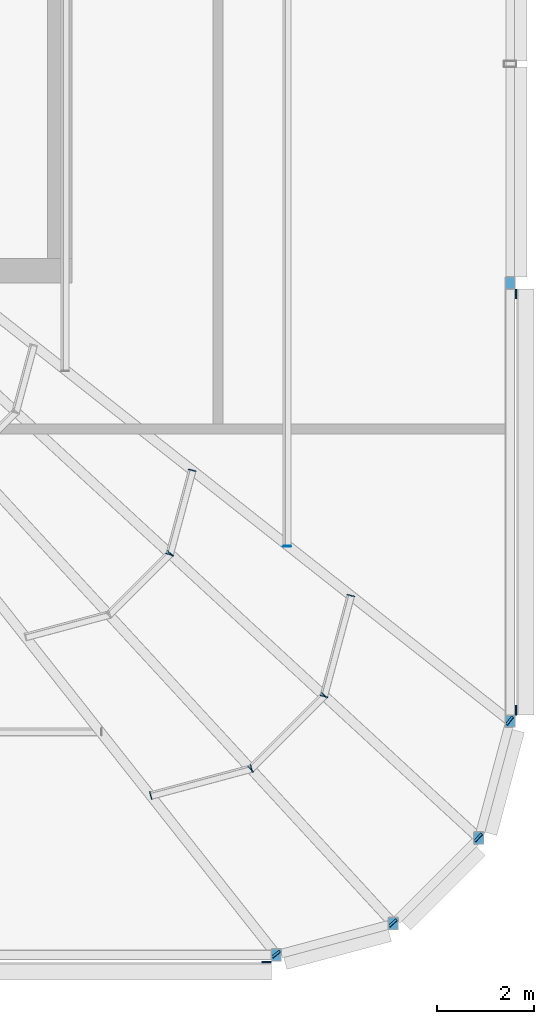
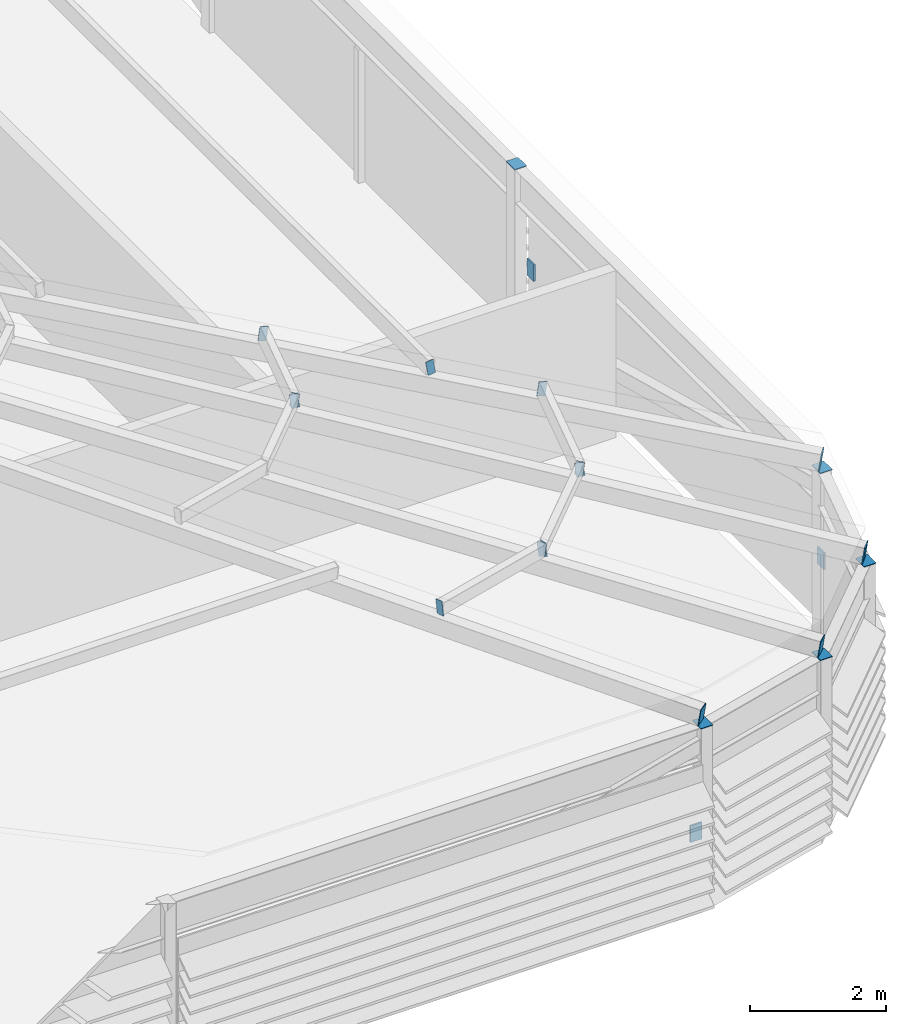
# One storey, part 32 of 46: 22 discrete accessories.
"""IFC4 building model written with IfcOpenShell, lengths in metres."""

import ifcopenshell
import ifcopenshell.guid

model = None  # the IFC model being written
_history = None  # IfcOwnerHistory: only IFC2X3 demands one
_inside = {}  # id of a spatial element -> (the spatial element, [elements in it])
_under = {}  # id of a project, library or spatial element -> (it, [spatial elements below it])
_declared = {}  # id of a project -> (the project, [libraries it declares])
_typed = {}  # id of a type object -> (the type object, [elements of that type])
_made_of = {}  # id of a material, layer set ... -> (it, [elements and type objects made of it])


def new_model(schema):
    """Start an empty IFC model of exactly this schema.

    Asked for "IFC4X3", IfcOpenShell would pick the latest addendum, in which some entities
    have other attributes; the version numbers below select the first issue.
    IFC2X3 requires an IfcOwnerHistory on every rooted entity: one is made here for all.
    """
    global model, _history
    if schema == "IFC4X3":
        model = ifcopenshell.file(schema_version=(4, 3, 0, 0))
    else:
        model = ifcopenshell.file(schema=schema)
    _inside.clear()
    _under.clear()
    _declared.clear()
    _typed.clear()
    _made_of.clear()
    _history = None
    if model.schema == "IFC2X3":
        org = make("IfcOrganization", Name="unknown")
        user = make(
            "IfcPersonAndOrganization",
            ThePerson=make("IfcPerson", FamilyName="unknown"),
            TheOrganization=org,
        )
        app = make(
            "IfcApplication",
            ApplicationDeveloper=org,
            Version="unknown",
            ApplicationFullName="unknown",
            ApplicationIdentifier="unknown",
        )
        _history = make(
            "IfcOwnerHistory",
            OwningUser=user,
            OwningApplication=app,
            ChangeAction="ADDED",
            CreationDate=0,
        )
    return model


def make(cls, **values):
    """One entity of the class cls with the attributes given. An attribute that is None is left unset."""
    return model.create_entity(
        cls, **{name: value for name, value in values.items() if value is not None}
    )


def rooted(cls, **values):
    """An entity with a GlobalId (a new one), such as an element, a storey or a relation."""
    return make(cls, GlobalId=ifcopenshell.guid.new(), OwnerHistory=_history, **values)


def si_unit(unit_type, name, prefix=None):
    """IfcSIUnit, for example si_unit("LENGTHUNIT", "METRE", prefix="MILLI")."""
    return make("IfcSIUnit", UnitType=unit_type, Prefix=prefix, Name=name)


def assignment(units):
    """IfcUnitAssignment: the units of a project."""
    return None if units is None else make("IfcUnitAssignment", Units=units)


def point(xyz):
    """IfcCartesianPoint."""
    return None if xyz is None else make("IfcCartesianPoint", Coordinates=xyz)


def direction(xyz):
    """IfcDirection."""
    return None if xyz is None else make("IfcDirection", DirectionRatios=xyz)


def frame(location, z_axis=None, x_axis=None):
    """IfcAxis2Placement3D, a coordinate frame: its origin and axes. An axis left out is left unset."""
    return make(
        "IfcAxis2Placement3D",
        Location=point(location),
        Axis=direction(z_axis),
        RefDirection=direction(x_axis),
    )


def frame_2d(location, x_axis=None):
    """IfcAxis2Placement2D, a coordinate frame in the plane: its origin and x axis."""
    return make(
        "IfcAxis2Placement2D", Location=point(location), RefDirection=direction(x_axis)
    )


def origin():
    """The frame at (0, 0, 0) with its axes left unset."""
    return frame((0.0, 0.0, 0.0))


def origin_2d():
    """The frame at (0, 0) in the plane with its x axis left unset."""
    return frame_2d((0.0, 0.0))


def place(relative_to, where):
    """IfcLocalPlacement: puts the frame where relative to a parent placement (None: the world)."""
    return make(
        "IfcLocalPlacement", PlacementRelTo=relative_to, RelativePlacement=where
    )


def context(
    kind, dimensions, precision=None, world=None, true_north=None, identifier=None
):
    """IfcGeometricRepresentationContext, for example the 3D "Model" context."""
    return make(
        "IfcGeometricRepresentationContext",
        ContextIdentifier=identifier,
        ContextType=kind,
        CoordinateSpaceDimension=dimensions,
        Precision=precision,
        WorldCoordinateSystem=world,
        TrueNorth=true_north,
    )


def subcontext(parent, identifier, kind, view, scale=None):
    """IfcGeometricRepresentationSubContext, for example "Body" below "Model"."""
    return make(
        "IfcGeometricRepresentationSubContext",
        ContextIdentifier=identifier,
        ContextType=kind,
        ParentContext=parent,
        TargetScale=scale,
        TargetView=view,
    )


def project(units=None, contexts=None):
    """IfcProject with its units and contexts."""
    return rooted(
        "IfcProject",
        Name="project",
        RepresentationContexts=contexts,
        UnitsInContext=assignment(units),
    )


def spatial(cls, under=None, at=None, **own):
    """A site, building, storey or space (cls), placed at a placement, below another one or the project."""
    s = rooted(cls, ObjectPlacement=at, **own)
    if under is not None:
        _under.setdefault(under.id(), (under, []))[1].append(s)
    return s


def profile(cls, at=None, kind="AREA", **sizes):
    """A parametric profile (cls). Its sizes go by their IFC names, for example OverallWidth=200.0."""
    return make(cls, ProfileType=kind, Position=at, **sizes)


def rectangle(**sizes):
    """IfcRectangleProfileDef."""
    return profile("IfcRectangleProfileDef", **sizes)


def extrude(swept, where, along, depth):
    """IfcExtrudedAreaSolid: the profile swept, set in the frame where, extruded along a direction by depth."""
    return make(
        "IfcExtrudedAreaSolid",
        SweptArea=swept,
        Position=where,
        ExtrudedDirection=direction(along),
        Depth=depth,
    )


def shape(context_of_items, identifier, shape_type, items):
    """IfcShapeRepresentation: the items that make up one representation, for example the "Body"."""
    return make(
        "IfcShapeRepresentation",
        ContextOfItems=context_of_items,
        RepresentationIdentifier=identifier,
        RepresentationType=shape_type,
        Items=items,
    )


def material(Name=None, Category=None):
    """IfcMaterial."""
    return make("IfcMaterial", Name=Name, Category=Category)


def made_of(thing, what):
    """Note that an element or type object is made of a material, layer set ...; save() writes the relation."""
    if what is not None:
        _made_of.setdefault(what.id(), (what, []))[1].append(thing)
    return thing


def type_object(cls, material=None, **own):
    """A type object (cls), such as IfcWallType, which elements share."""
    return made_of(rooted(cls, **own), material)


def element(
    cls,
    number,
    at=None,
    inside=None,
    cuts=None,
    type_object=None,
    material=None,
    context=None,
    identifier="Body",
    shape_type=None,
    held_by="IfcProductDefinitionShape",
    body=None,
    shapes=None,
    **own,
):
    """One element of the class cls, such as IfcWall. Its Tag is "e" and its number.

    at: its placement. inside: the storey or other place that contains it. cuts: it is an
    opening in that element (IfcRelVoidsElement). A single representation is given by context,
    identifier, shape_type and body (its items); several are given by shapes. held_by: the class
    of the entity that holds the representations. save() writes the other relations.
    """
    e = rooted(cls, Tag="e%d" % number, ObjectPlacement=at, **own)
    if body is not None:
        shapes = [shape(context, identifier, shape_type, body)]
    if shapes is not None:
        e.Representation = make(held_by, Representations=shapes)
    if inside is not None:
        _inside.setdefault(inside.id(), (inside, []))[1].append(e)
    if cuts is not None:
        rooted(
            "IfcRelVoidsElement", RelatingBuildingElement=cuts, RelatedOpeningElement=e
        )
    if type_object is not None:
        _typed.setdefault(type_object.id(), (type_object, []))[1].append(e)
    return made_of(e, material)


def aggregate(whole, parts):
    """IfcRelAggregates: a whole, such as a stair, and the parts it consists of."""
    return rooted("IfcRelAggregates", RelatingObject=whole, RelatedObjects=parts)


def save(model, path):
    """Write the relations noted so far, then the file.

    IfcRelAggregates (storeys below a building ...), IfcRelContainedInSpatialStructure (elements
    in a storey), IfcRelDefinesByType, IfcRelAssociatesMaterial and IfcRelDeclares: one each for
    every whole, place, type object, material and project.
    """
    for whole, parts in _under.values():
        aggregate(whole, parts)
    for where, things in _inside.values():
        rooted(
            "IfcRelContainedInSpatialStructure",
            RelatedElements=things,
            RelatingStructure=where,
        )
    for kind, things in _typed.values():
        rooted("IfcRelDefinesByType", RelatedObjects=things, RelatingType=kind)
    for what, things in _made_of.values():
        rooted("IfcRelAssociatesMaterial", RelatedObjects=things, RelatingMaterial=what)
    for by, libraries in _declared.values():
        rooted("IfcRelDeclares", RelatingContext=by, RelatedDefinitions=libraries)
    model.write(path)


model = new_model("IFC4")

# Units and contexts
model_context = context("Model", 3, precision=1e-05, world=origin(), true_north=direction((0.0, 1.0)))
body_context = subcontext(model_context, "Body", "Model", "MODEL_VIEW")
ifc_project = project(units=[si_unit("LENGTHUNIT", "METRE"), si_unit("AREAUNIT", "SQUARE_METRE"), si_unit("VOLUMEUNIT", "CUBIC_METRE"), si_unit("PLANEANGLEUNIT", "RADIAN"), si_unit("MASSUNIT", "GRAM", prefix="KILO")], contexts=[model_context])

# Site, building, storey
site_placement = place(None, origin())
site = spatial("IfcSite", under=ifc_project, at=site_placement, CompositionType="ELEMENT")
building_placement = place(site_placement, origin())
building = spatial("IfcBuilding", under=site, at=building_placement, Name="Madar Terraces", CompositionType="ELEMENT")
storey_placement = place(building_placement, frame((0.0, 0.0, 317.300048828125)))
storey = spatial("IfcBuildingStorey", under=building, at=storey_placement, Name="L82", CompositionType="ELEMENT", Elevation=317.300048828125)

# Discrete accessories
ifc_material_1 = material(Name="Steel plate ASTM A36, galvanised", Category="steel")
discrete_accessory_type_1 = type_object("IfcDiscreteAccessoryType", Name="Hollow section end plate", PredefinedType="BRACKET", material=ifc_material_1)
for number, where, z_axis, x_axis, name in (
    (1, (51.587158203125, 1.21630859375, 3.149169921875), (0.613267437123, -0.776805420356, -0.143095735329), (0.784882765533, 0.619644288579, 0.0), "Hollow section end plate"),
    (2, (53.986328125, 1.85791015625, 3.149169921875), (0.668888382345, -0.729696417104, -0.141885414437), (0.737154140201, 0.675724628517, 0.0), "Hollow section end plate"),
    (3, (55.7421875, 3.613525390625, 3.149169921875), (0.729696417104, -0.668888382345, -0.141885414437), (0.675724628517, 0.737154140201, 0.0), "Hollow section end plate"),
    (4, (56.3837890625, 6.012939453125, 3.149169921875), (0.776805420356, -0.613267437123, -0.143095735329), (0.619644288579, 0.784882765533, 0.0), "Hollow section end plate"),
):
    element("IfcDiscreteAccessory", number, at=place(storey_placement, frame(where, z_axis=z_axis, x_axis=x_axis)), inside=storey, type_object=discrete_accessory_type_1, Name=name, PredefinedType="BRACKET", context=body_context, shape_type="SweptSolid", body=[
        extrude(rectangle(XDim=0.203125, YDim=0.3046875, at=origin_2d()), origin(), (0.0, 0.0, 1.0), 0.011962890625),
    ])
discrete_accessory_1_placement = place(storey_placement, frame((49.024169921875, 4.4736328125, 3.999755859375), z_axis=(-0.96522637192, -0.261415475728, 0.0), x_axis=(0.259054806785, -0.956510055821, 0.13408624163)))
element("IfcDiscreteAccessory", 5, at=discrete_accessory_1_placement, inside=storey, type_object=discrete_accessory_type_1, Name="Hollow section end plate", PredefinedType="BRACKET", context=body_context, shape_type="SweptSolid", body=[
    extrude(rectangle(XDim=0.126953125, YDim=0.25390625, at=origin_2d()), origin(), (0.0, 0.0, 1.0), 0.01220703125),
])
for number, where, z_axis, x_axis, name in (
    (6, (51.081298828125, 5.02490234375, 3.999755859375), (0.970142500145, 0.242535625036, 0.0), (-0.240345447442, 0.961381789769, 0.13408624163), "Hollow section end plate"),
    (7, (51.073974609375, 5.020263671875, 3.999755859375), (-0.707106781187, -0.707106781187, 0.0), (0.700941463334, -0.700941463334, 0.131765435371), "Hollow section end plate"),
    (8, (52.579833984375, 6.526123046875, 3.999755859375), (0.707106781187, 0.707106781187, 0.0), (-0.700941463334, 0.700941463334, 0.131765435371), "Hollow section end plate"),
    (9, (49.41455078125, 9.4404296875, 4.571044921875), (0.707106781187, 0.707106781187, 0.0), (-0.700941463334, 0.700941463334, 0.131765435371), "Hollow section end plate"),
):
    element("IfcDiscreteAccessory", number, at=place(storey_placement, frame(where, z_axis=z_axis, x_axis=x_axis)), inside=storey, type_object=discrete_accessory_type_1, Name=name, PredefinedType="BRACKET", context=body_context, shape_type="SweptSolid", body=[
        extrude(rectangle(XDim=0.126953125, YDim=0.25390625, at=origin_2d()), origin(), (0.0, 0.0, 1.0), 0.011962890625),
    ])
discrete_accessory_2_placement = place(storey_placement, frame((52.5751953125, 6.518798828125, 3.999755859375), z_axis=(-0.261415475728, -0.96522637192, 0.0), x_axis=(0.956510055821, -0.259054806785, 0.13408624163)))
element("IfcDiscreteAccessory", 10, at=discrete_accessory_2_placement, inside=storey, type_object=discrete_accessory_type_1, Name="Hollow section end plate", PredefinedType="BRACKET", context=body_context, shape_type="SweptSolid", body=[
    extrude(rectangle(XDim=0.126953125, YDim=0.25390625, at=origin_2d()), origin(), (0.0, 0.0, 1.0), 0.01220703125),
])
for number, where, z_axis, x_axis, name in (
    (11, (53.12646484375, 8.575927734375, 3.999755859375), (0.247383245266, 0.968917710624, 0.0), (-0.960168060506, 0.245149292044, 0.13408624163), "Hollow section end plate"),
    (12, (49.409912109375, 9.432861328125, 4.5712890625), (-0.266586054538, -0.963811120254, 0.0), (0.95510758435, -0.264178693544, 0.13408624163), "Hollow section end plate"),
    (13, (49.869384765625, 11.147216796875, 4.5712890625), (0.242535625036, 0.970142500145, 0.0), (-0.961381789769, 0.240345447442, 0.13408624163), "Hollow section end plate"),
):
    element("IfcDiscreteAccessory", number, at=place(storey_placement, frame(where, z_axis=z_axis, x_axis=x_axis)), inside=storey, type_object=discrete_accessory_type_1, Name=name, PredefinedType="BRACKET", context=body_context, shape_type="SweptSolid", body=[
        extrude(rectangle(XDim=0.126953125, YDim=0.25390625, at=origin_2d()), origin(), (0.0, 0.0, 1.0), 0.011962890625),
    ])
discrete_accessory_3_placement = place(storey_placement, frame((51.818115234375, 9.60009765625, 4.22900390625), z_axis=(0.0, -1.0, 0.0), x_axis=(0.984957023705, 0.0, 0.172799483372)))
element("IfcDiscreteAccessory", 14, at=discrete_accessory_3_placement, inside=storey, type_object=discrete_accessory_type_1, Name="Hollow section end plate", PredefinedType="BRACKET", context=body_context, shape_type="SweptSolid", body=[
    extrude(rectangle(XDim=0.126953125, YDim=0.25390625, at=origin_2d()), origin(), (0.0, 0.0, 1.0), 0.01220703125),
])
for number, where, z_axis, x_axis, name in (
    (15, (51.60009765625, 1.199951171875, 3.0), (0.0, 0.0, 1.0), (1.0, 0.0, 0.0), "Hollow section end plate"),
    (16, (54.0, 1.843017578125, 3.0), (0.0, 0.0, 1.0), (1.0, 0.0, 0.0), "Hollow section end plate"),
    (17, (55.7568359375, 3.60009765625, 3.0), (0.0, 0.0, 1.0), (1.0, 0.0, 0.0), "Hollow section end plate"),
    (18, (56.39990234375, 6.0, 3.0), (0.0, 0.0, 1.0), (1.0, 0.0, 0.0), "Hollow section end plate"),
    (19, (56.39990234375, 15.0, 3.0), (0.0, 0.0, 1.0), (1.0, 0.0, 0.0), "Hollow section end plate"),
):
    element("IfcDiscreteAccessory", number, at=place(storey_placement, frame(where, z_axis=z_axis, x_axis=x_axis)), inside=storey, type_object=discrete_accessory_type_1, Name=name, PredefinedType="BRACKET", context=body_context, shape_type="SweptSolid", body=[
        extrude(rectangle(XDim=0.203125, YDim=0.25390625, at=origin_2d()), origin(), (0.0, 0.0, 1.0), 0.011962890625),
    ])
ifc_material_2 = material(Name="Steel, galvanised", Category="steel")
discrete_accessory_type_2 = type_object("IfcDiscreteAccessoryType", Name="Louvre bank bracket", PredefinedType="BRACKET", material=ifc_material_2)
for number, where, z_axis, x_axis, name in (
    (20, (51.3984375, 1.05810546875, 1.048828125), (0.0, 0.0, 1.0), (1.0, 0.0, 0.0), "Louvre bank bracket"),
    (21, (56.5166015625, 6.22705078125, 1.048828125), (0.0, 0.0, 1.0), (0.0, 1.0, 0.0), "Louvre bank bracket"),
    (22, (56.5166015625, 14.77294921875, 1.048828125), (0.0, 0.0, 1.0), (0.0, 1.0, 0.0), "Louvre bank bracket"),
):
    element("IfcDiscreteAccessory", number, at=place(storey_placement, frame(where, z_axis=z_axis, x_axis=x_axis)), inside=storey, type_object=discrete_accessory_type_2, Name=name, PredefinedType="BRACKET", context=body_context, shape_type="SweptSolid", body=[
        extrude(rectangle(XDim=0.199951171875, YDim=0.030029296875, at=origin_2d()), origin(), (0.0, 0.0, 1.0), 0.300048828125),
    ])

save(model, "model.ifc")
